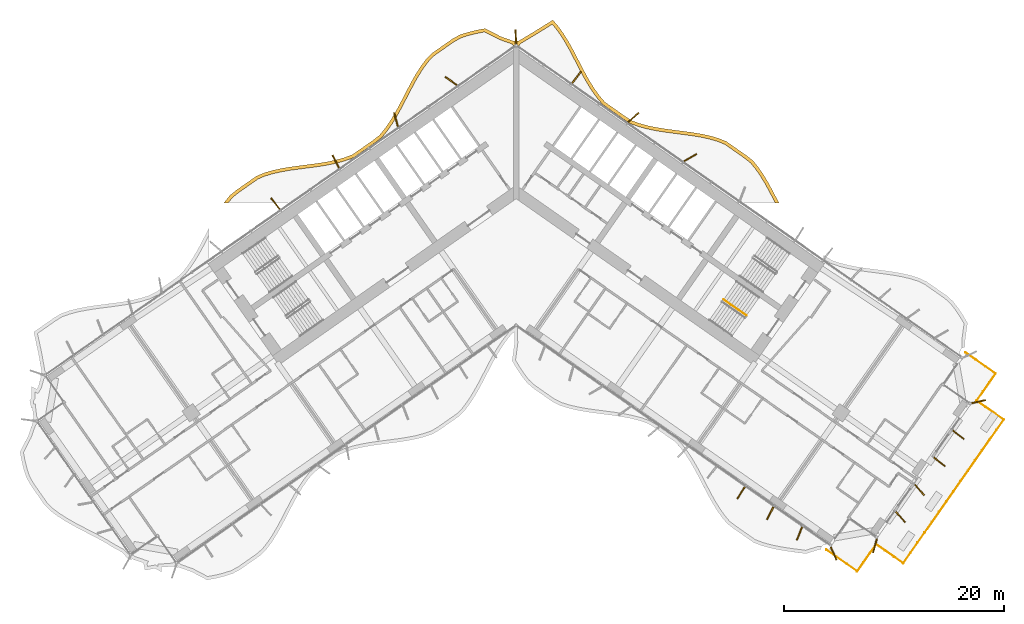
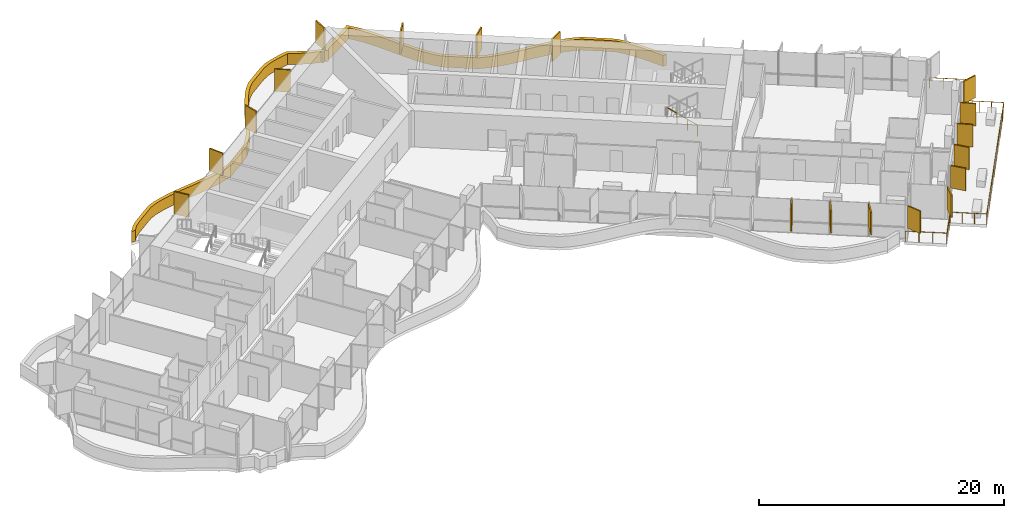
# One storey, part 23 of 25: 19 shading devices, 2 railings.
"""IFC4 building model written with IfcOpenShell, lengths in metres."""

from ifc_helpers import new_model, si_unit, direction, frame, origin, origin_2d, place, context, subcontext, project, spatial, polyline, rectangle, circle, outline, extrude, material, layer, layer_set, type_object, element, save


model = new_model("IFC4")

# Units and contexts
model_context = context("Model", 3, precision=1e-05, world=origin(), true_north=direction((0.0, 1.0)))
body_context = subcontext(model_context, "Body", "Model", "MODEL_VIEW")
ifc_project = project(units=[si_unit("LENGTHUNIT", "METRE"), si_unit("AREAUNIT", "SQUARE_METRE"), si_unit("VOLUMEUNIT", "CUBIC_METRE"), si_unit("PLANEANGLEUNIT", "RADIAN"), si_unit("MASSUNIT", "GRAM", prefix="KILO")], contexts=[model_context])

# Site, building, storey
site_placement = place(None, origin())
site = spatial("IfcSite", under=ifc_project, at=site_placement, CompositionType="ELEMENT")
building_placement = place(site_placement, origin())
building = spatial("IfcBuilding", under=site, at=building_placement, Name="Tel Ilan Convention Tower", CompositionType="ELEMENT")
storey_placement = place(building_placement, frame((0.0, 0.0, 76.10009765625)))
storey = spatial("IfcBuildingStorey", under=building, at=storey_placement, Name="L14", CompositionType="ELEMENT", Elevation=76.10009765625)

# Shading devices
ifc_material_1 = material(Name="Aluminium, bronze anodised", Category="aluminium")
ifc_layer_1 = layer(ifc_material_1, 0.1201171875)
ifc_layer_set_1 = layer_set([ifc_layer_1], Name="FIN BRONZE 1300x120")
shading_device_type_1 = type_object("IfcShadingDeviceType", Name="FIN BRONZE 1300x120", PredefinedType="USERDEFINED", material=ifc_layer_set_1)
for number, where, z_axis, x_axis, name in (
    (1, (34.88330078125, -30.109619140625, 1.10009765625), (0.0, 0.0, 1.0), (0.657521368568, -0.753435896329, 0.0), "FIN"),
    (2, (36.60400390625, -27.652099609375, 1.10009765625), (0.0, 0.0, 1.0), (0.657521368568, -0.753435896329, 0.0), "FIN"),
    (3, (38.40185546875, -25.096435546875, 1.10009765625), (0.0, 0.0, 1.0), (0.790392669516, -0.612600545196, 0.0), "FIN"),
    (4, (40.12255859375, -22.63916015625, 1.10009765625), (0.0, 0.0, 1.0), (0.790392669516, -0.612600545196, 0.0), "FIN"),
    (5, (41.9638671875, -19.637939453125, 1.10009765625), (0.0, 0.0, 1.0), (0.975235208752, 0.221170268371, 0.0), "FIN"),
    (6, (15.798828125, 2.50537109375, 1.10009765625), (0.0, 0.0, 1.0), (0.866025403784, 0.5, 0.0), "FIN"),
    (7, (10.6455078125, 6.1513671875, 1.10009765625), (0.0, 0.0, 1.0), (0.753435896329, 0.657521368568, 0.0), "FIN"),
    (8, (5.473388671875, 9.781005859375, 1.10009765625), (0.0, 0.0, 1.0), (0.612600545196, 0.790392669516, 0.0), "FIN"),
    (9, (-0.031494140625, 13.4697265625, 1.10009765625), (0.0, 0.0, 1.0), (-0.048462378231, 0.998825008646, 0.0), "FIN"),
    (10, (-5.900634765625, 9.45849609375, 1.10009765625), (0.0, 0.0, 1.0), (-0.813552070258, 0.581492071294, 0.0), "FIN"),
    (11, (-10.906494140625, 5.953369140625, 1.10009765625), (0.0, 0.0, 1.0), (-0.268172612768, 0.963370878614, 0.0), "FIN"),
    (12, (-16.378173828125, 2.145263671875, 1.10009765625), (0.0, 0.0, 1.0), (-0.448799180206, 0.893632640321, 0.0), "FIN"),
    (13, (-21.841796875, -1.68017578125, 1.10009765625), (0.0, 0.0, 1.0), (-0.612600545196, 0.790392669516, 0.0), "FIN"),
    (14, (20.41259765625, -27.90673828125, 1.10009765625), (0.0, 0.0, 1.0), (-0.533204432798, -0.845986425922, 0.0), "FIN"),
    (15, (23.05908203125, -29.759521484375, 1.10009765625), (0.0, 0.0, 1.0), (-0.448799180206, -0.893632640321, 0.0), "FIN"),
    (16, (25.70849609375, -31.606689453125, 1.10009765625), (0.0, 0.0, 1.0), (-0.360177724803, -0.932883704733, 0.0), "FIN"),
    (17, (28.811279296875, -33.4140625, 1.10009765625), (0.0, 0.0, 1.0), (0.404964282034, -0.914332505315, 0.0), "FIN"),
    (18, (32.559814453125, -32.7216796875, 1.10009765625), (0.0, 0.0, 1.0), (-0.258819045103, -0.965925826289, 0.0), "FIN"),
):
    element("IfcShadingDevice", number, at=place(storey_placement, frame(where, z_axis=z_axis, x_axis=x_axis)), inside=storey, type_object=shading_device_type_1, Name=name, ObjectType="FIN", PredefinedType="USERDEFINED", context=body_context, shape_type="SweptSolid", body=[
        extrude(rectangle(XDim=1.300048828125, YDim=0.1201171875, at=origin_2d()), origin(), (0.0, 0.0, 1.0), 2.219970703125),
    ])
ifc_material_2 = material(Name="Aluminium, bronze anodised", Category="aluminium")
ifc_layer_2 = layer(ifc_material_2, 0.300048828125)
ifc_layer_set_2 = layer_set([ifc_layer_2], Name="LOUVRE BAND 300x1100")
shading_device_type_2 = type_object("IfcShadingDeviceType", Name="LOUVRE BAND 300x1100", PredefinedType="USERDEFINED", material=ifc_layer_set_2)
shading_device_placement = place(storey_placement, origin())
element("IfcShadingDevice", 19, at=shading_device_placement, inside=storey, type_object=shading_device_type_2, Name="LOUVRE BAND 14.03", ObjectType="LOUVRE", PredefinedType="USERDEFINED", context=body_context, shape_type="SweptSolid", body=[
    extrude(outline(polyline([(-25.98291015625, -0.9267578125), (-26.470947265625, -1.533447265625), (-26.5380859375, -1.631591796875), (-26.164794921875, -1.631591796875), (-25.768798828125, -1.13916015625), (-25.22119140625, -0.691162109375), (-23.4189453125, 0.570556640625), (-22.757568359375, 0.845947265625), (-22.025146484375, 1.0595703125), (-21.250732421875, 1.229248046875), (-20.445556640625, 1.36474609375), (-17.94091796875, 1.697021484375), (-17.10986328125, 1.831298828125), (-16.29736328125, 2.001220703125), (-15.51171875, 2.2197265625), (-14.73974609375, 2.50537109375), (-12.86083984375, 3.812744140625), (-12.2314453125, 4.287841796875), (-11.706298828125, 4.921142578125), (-11.2373046875, 5.590576171875), (-10.803466796875, 6.300537109375), (-10.395751953125, 7.0380859375), (-9.617919921875, 8.540283203125), (-9.227294921875, 9.275390625), (-8.822509765625, 9.9814453125), (-8.39501953125, 10.64501953125), (-7.941650390625, 11.25048828125), (-7.44140625, 11.75830078125), (-5.638916015625, 13.020263671875), (-5.01953125, 13.36328125), (-4.31494140625, 13.594970703125), (-3.555908203125, 13.7822265625), (-2.858154296875, 13.91259765625), (-1.501220703125, 13.2119140625), (-0.362548828125, 12.812744140625), (-0.24609375, 12.646728515625), (0.0, 12.818115234375), (0.24609375, 12.646728515625), (0.38134765625, 12.839599609375), (1.88916015625, 13.747314453125), (3.271728515625, 14.607177734375), (3.593017578125, 14.232666015625), (4.037353515625, 13.614990234375), (4.454345703125, 12.947998046875), (4.8505859375, 12.2421875), (6.0068359375, 10.025390625), (6.4140625, 9.2998046875), (6.84814453125, 8.603759765625), (7.318115234375, 7.94921875), (7.845947265625, 7.3291015625), (9.697021484375, 6.0283203125), (10.3486328125, 5.60009765625), (11.1142578125, 5.323974609375), (11.8935546875, 5.112060546875), (12.69873046875, 4.94677734375), (13.521240234375, 4.815673828125), (15.99755859375, 4.4873046875), (16.79345703125, 4.35302734375), (17.559326171875, 4.18505859375), (18.284423828125, 3.97412109375), (18.94091796875, 3.7060546875), (20.723876953125, 2.457763671875), (21.272216796875, 2.02392578125), (21.729736328125, 1.462646484375), (22.166748046875, 0.83154296875), (22.57763671875, 0.153564453125), (22.97021484375, -0.56005859375), (23.52587890625, -1.631591796875), (23.86328125, -1.631591796875), (23.23486328125, -0.41845703125), (22.837646484375, 0.303466796875), (22.418701171875, 0.99462890625), (21.9697265625, 1.64306640625), (21.484130859375, 2.239013671875), (20.903076171875, 2.698486328125), (19.08544921875, 3.97119140625), (18.38330078125, 4.2578125), (17.63330078125, 4.47607421875), (16.8505859375, 4.647705078125), (16.043212890625, 4.783935546875), (13.564697265625, 5.112548828125), (12.75244140625, 5.241943359375), (11.963134765625, 5.404052734375), (11.20458984375, 5.610107421875), (10.483642578125, 5.8701171875), (9.865478515625, 6.276611328125), (8.050048828125, 7.55224609375), (7.5546875, 8.134033203125), (7.09765625, 8.770751953125), (6.672119140625, 9.452880859375), (6.2705078125, 10.168701171875), (5.1142578125, 12.385498046875), (4.71240234375, 13.100830078125), (4.28662109375, 13.7822265625), (3.8291015625, 14.418212890625), (3.331787109375, 14.997802734375), (1.732666015625, 14.003173828125), (0.168701171875, 13.059326171875), (0.11474609375, 13.09521484375), (0.0, 13.1181640625), (-0.11474609375, 13.09521484375), (-0.168701171875, 13.059326171875), (-1.382080078125, 13.48828125), (-2.81201171875, 14.226318359375), (-3.619384765625, 14.075439453125), (-4.39794921875, 13.883544921875), (-5.14013671875, 13.639404296875), (-5.798095703125, 13.275146484375), (-7.635986328125, 11.98828125), (-8.169677734375, 11.446533203125), (-8.641357421875, 10.81640625), (-9.078857421875, 10.13720703125), (-9.489990234375, 9.42041015625), (-9.8837890625, 8.67919921875), (-10.66015625, 7.179931640625), (-11.06298828125, 6.451416015625), (-11.488525390625, 5.755126953125), (-11.945068359375, 5.103271484375), (-12.43994140625, 4.506103515625), (-13.037353515625, 4.055419921875), (-14.2626953125, 3.197509765625), (-14.87890625, 2.773681640625), (-15.60400390625, 2.50537109375), (-16.3681640625, 2.29296875), (-17.16455078125, 2.12646484375), (-17.98486328125, 1.993896484375), (-20.490966796875, 1.661376953125), (-21.307861328125, 1.52392578125), (-22.099365234375, 1.350341796875), (-22.857421875, 1.129150390625), (-23.564453125, 0.8349609375), (-25.40234375, -0.451904296875), (-25.98291015625, -0.9267578125)])), origin(), (0.0, 0.0, 1.0), 1.099853515625),
])

# Railings
ifc_material_3 = material(Name="Stainless Steel Grade 316", Category="steel")
railing_type_1 = type_object("IfcRailingType", Name="Stainless Steel Stair Guard 1100 mm", PredefinedType="GUARDRAIL", material=ifc_material_3)
railing_1_placement = place(storey_placement, frame((20.89697265625, -11.824462890625, 0.179931640625)))
element("IfcRailing", 20, at=railing_1_placement, inside=storey, type_object=railing_type_1, Name="L14 S4 stair guard 1", PredefinedType="GUARDRAIL", context=body_context, shape_type="SweptSolid", body=[
    extrude(circle(Radius=0.02392578125, at=origin_2d()), frame((0.0, 0.0, 1.076171875), z_axis=(-0.689043377453, 0.48253410265, 0.540721798865), x_axis=(-0.573624882958, -0.819118119475, 0.0)), (0.0, 0.0, 1.0), 2.995849609375),
    extrude(circle(Radius=0.02099609375, at=origin_2d()), origin(), (0.0, 0.0, 1.0), 1.052001953125),
    extrude(circle(Radius=0.02099609375, at=origin_2d()), frame((-0.68798828125, 0.48193359375, 0.5400390625)), (0.0, 0.0, 1.0), 1.052001953125),
    extrude(circle(Radius=0.02099609375, at=origin_2d()), frame((-1.376220703125, 0.963623046875, 1.079833984375)), (0.0, 0.0, 1.0), 1.052001953125),
    extrude(circle(Radius=0.02099609375, at=origin_2d()), frame((-2.064208984375, 1.445556640625, 1.619873046875)), (0.0, 0.0, 1.0), 1.052001953125),
])
ifc_material_4 = material(Name="Stainless steel S316", Category="steel")
railing_type_2 = type_object("IfcRailingType", Name="TERRACE GUARD 1100", PredefinedType="GUARDRAIL", material=ifc_material_4)
railing_2_placement = place(storey_placement, frame((40.7802734375, -15.18701171875, 0.0)))
element("IfcRailing", 21, at=railing_2_placement, inside=storey, type_object=railing_type_2, Name="Terrace guard 14.01", PredefinedType="GUARDRAIL", context=body_context, shape_type="SweptSolid", body=[
    extrude(circle(Radius=0.02490234375, at=origin_2d()), frame((0.0, 0.0, 1.0751953125), z_axis=(0.819111485724, -0.573634355626, 0.0), x_axis=(0.573634355626, 0.819111485724, 0.0)), (0.0, 0.0, 1.0), 3.333740234375),
    extrude(circle(Radius=0.02490234375, at=origin_2d()), frame((2.730712890625, -1.912353515625, 1.0751953125), z_axis=(-0.573560650686, -0.819163097304, 0.0), x_axis=(0.819163097304, -0.573560650686, 0.0)), (0.0, 0.0, 1.0), 3.0),
    extrude(circle(Radius=0.02490234375, at=origin_2d()), frame((1.010009765625, -4.369873046875, 1.0751953125), z_axis=(0.819163097304, -0.573560650686, 0.0), x_axis=(0.573560650686, 0.819163097304, 0.0)), (0.0, 0.0, 1.0), 3.0),
    extrude(circle(Radius=0.02490234375, at=origin_2d()), frame((3.467529296875, -6.090576171875, 1.0751953125), z_axis=(-0.573579818404, -0.81914967614, 0.0), x_axis=(0.81914967614, -0.573579818404, 0.0)), (0.0, 0.0, 1.0), 15.89990234375),
    extrude(circle(Radius=0.02490234375, at=origin_2d()), frame((-5.65234375, -19.114990234375, 1.0751953125), z_axis=(-0.819163097304, 0.573560650686, 0.0), x_axis=(-0.573560650686, -0.819163097304, 0.0)), (0.0, 0.0, 1.0), 3.0),
    extrude(circle(Radius=0.02490234375, at=origin_2d()), frame((-8.10986328125, -17.394287109375, 1.0751953125), z_axis=(-0.573560650686, -0.819163097304, 0.0), x_axis=(0.819163097304, -0.573560650686, 0.0)), (0.0, 0.0, 1.0), 3.0),
    extrude(circle(Radius=0.02490234375, at=origin_2d()), frame((-9.83056640625, -19.851806640625, 1.0751953125), z_axis=(-0.81916143679, 0.573563022236, 0.0), x_axis=(-0.573563022236, -0.81916143679, 0.0)), (0.0, 0.0, 1.0), 3.41748046875),
    extrude(circle(Radius=0.02490234375, at=origin_2d()), origin(), (0.0, 0.0, 1.0), 1.050048828125),
    extrude(circle(Radius=0.02490234375, at=origin_2d()), frame((0.91015625, -0.637451171875, 0.0)), (0.0, 0.0, 1.0), 1.050048828125),
    extrude(circle(Radius=0.02490234375, at=origin_2d()), frame((1.820556640625, -1.27490234375, 0.0)), (0.0, 0.0, 1.0), 1.050048828125),
    extrude(circle(Radius=0.02490234375, at=origin_2d()), frame((2.730712890625, -1.912353515625, 0.0)), (0.0, 0.0, 1.0), 1.050048828125),
    extrude(circle(Radius=0.02490234375, at=origin_2d()), frame((2.1572265625, -2.7314453125, 0.0)), (0.0, 0.0, 1.0), 1.050048828125),
    extrude(circle(Radius=0.02490234375, at=origin_2d()), frame((1.58349609375, -3.55078125, 0.0)), (0.0, 0.0, 1.0), 1.050048828125),
    extrude(circle(Radius=0.02490234375, at=origin_2d()), frame((1.010009765625, -4.369873046875, 0.0)), (0.0, 0.0, 1.0), 1.050048828125),
    extrude(circle(Radius=0.02490234375, at=origin_2d()), frame((1.8291015625, -4.943359375, 0.0)), (0.0, 0.0, 1.0), 1.050048828125),
    extrude(circle(Radius=0.02490234375, at=origin_2d()), frame((2.6484375, -5.51708984375, 0.0)), (0.0, 0.0, 1.0), 1.050048828125),
    extrude(circle(Radius=0.02490234375, at=origin_2d()), frame((3.467529296875, -6.090576171875, 0.0)), (0.0, 0.0, 1.0), 1.050048828125),
    extrude(circle(Radius=0.02490234375, at=origin_2d()), frame((2.816162109375, -7.02099609375, 0.0)), (0.0, 0.0, 1.0), 1.050048828125),
    extrude(circle(Radius=0.02490234375, at=origin_2d()), frame((2.164794921875, -7.951171875, 0.0)), (0.0, 0.0, 1.0), 1.050048828125),
    extrude(circle(Radius=0.02490234375, at=origin_2d()), frame((1.51318359375, -8.881591796875, 0.0)), (0.0, 0.0, 1.0), 1.050048828125),
    extrude(circle(Radius=0.02490234375, at=origin_2d()), frame((0.86181640625, -9.811767578125, 0.0)), (0.0, 0.0, 1.0), 1.050048828125),
    extrude(circle(Radius=0.02490234375, at=origin_2d()), frame((0.21044921875, -10.7421875, 0.0)), (0.0, 0.0, 1.0), 1.050048828125),
    extrude(circle(Radius=0.02490234375, at=origin_2d()), frame((-0.44091796875, -11.67236328125, 0.0)), (0.0, 0.0, 1.0), 1.050048828125),
    extrude(circle(Radius=0.02490234375, at=origin_2d()), frame((-1.09228515625, -12.602783203125, 0.0)), (0.0, 0.0, 1.0), 1.050048828125),
    extrude(circle(Radius=0.02490234375, at=origin_2d()), frame((-1.743896484375, -13.533203125, 0.0)), (0.0, 0.0, 1.0), 1.050048828125),
    extrude(circle(Radius=0.02490234375, at=origin_2d()), frame((-2.395263671875, -14.46337890625, 0.0)), (0.0, 0.0, 1.0), 1.050048828125),
    extrude(circle(Radius=0.02490234375, at=origin_2d()), frame((-3.046630859375, -15.393798828125, 0.0)), (0.0, 0.0, 1.0), 1.050048828125),
    extrude(circle(Radius=0.02490234375, at=origin_2d()), frame((-3.697998046875, -16.323974609375, 0.0)), (0.0, 0.0, 1.0), 1.050048828125),
    extrude(circle(Radius=0.02490234375, at=origin_2d()), frame((-4.349609375, -17.25439453125, 0.0)), (0.0, 0.0, 1.0), 1.050048828125),
    extrude(circle(Radius=0.02490234375, at=origin_2d()), frame((-5.0009765625, -18.1845703125, 0.0)), (0.0, 0.0, 1.0), 1.050048828125),
    extrude(circle(Radius=0.02490234375, at=origin_2d()), frame((-5.65234375, -19.114990234375, 0.0)), (0.0, 0.0, 1.0), 1.050048828125),
    extrude(circle(Radius=0.02490234375, at=origin_2d()), frame((-6.471435546875, -18.54150390625, 0.0)), (0.0, 0.0, 1.0), 1.050048828125),
    extrude(circle(Radius=0.02490234375, at=origin_2d()), frame((-7.290771484375, -17.9677734375, 0.0)), (0.0, 0.0, 1.0), 1.050048828125),
    extrude(circle(Radius=0.02490234375, at=origin_2d()), frame((-8.10986328125, -17.394287109375, 0.0)), (0.0, 0.0, 1.0), 1.050048828125),
    extrude(circle(Radius=0.02490234375, at=origin_2d()), frame((-8.683349609375, -18.21337890625, 0.0)), (0.0, 0.0, 1.0), 1.050048828125),
    extrude(circle(Radius=0.02490234375, at=origin_2d()), frame((-9.257080078125, -19.03271484375, 0.0)), (0.0, 0.0, 1.0), 1.050048828125),
    extrude(circle(Radius=0.02490234375, at=origin_2d()), frame((-9.83056640625, -19.851806640625, 0.0)), (0.0, 0.0, 1.0), 1.050048828125),
    extrude(circle(Radius=0.02490234375, at=origin_2d()), frame((-10.763671875, -19.198486328125, 0.0)), (0.0, 0.0, 1.0), 1.050048828125),
    extrude(circle(Radius=0.02490234375, at=origin_2d()), frame((-11.697021484375, -18.544921875, 0.0)), (0.0, 0.0, 1.0), 1.050048828125),
    extrude(circle(Radius=0.02490234375, at=origin_2d()), frame((-12.630126953125, -17.8916015625, 0.0)), (0.0, 0.0, 1.0), 1.050048828125),
])

save(model, "model.ifc")
